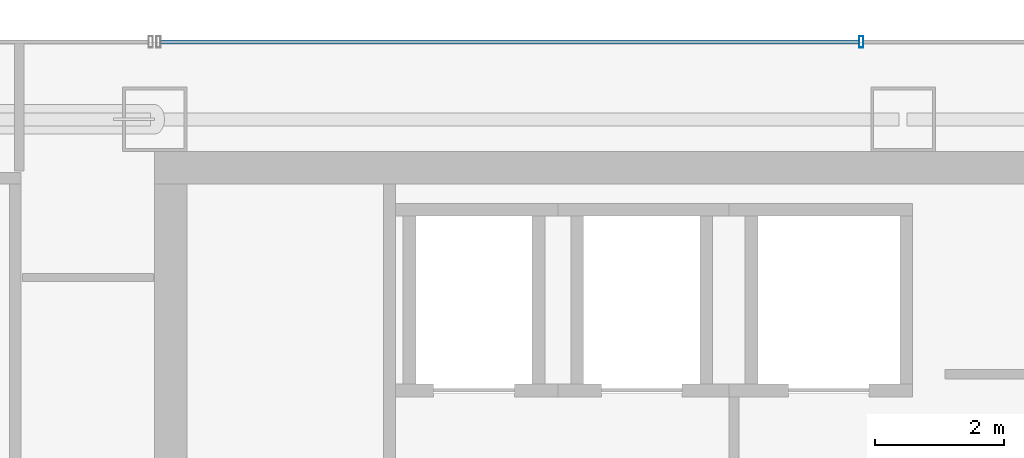
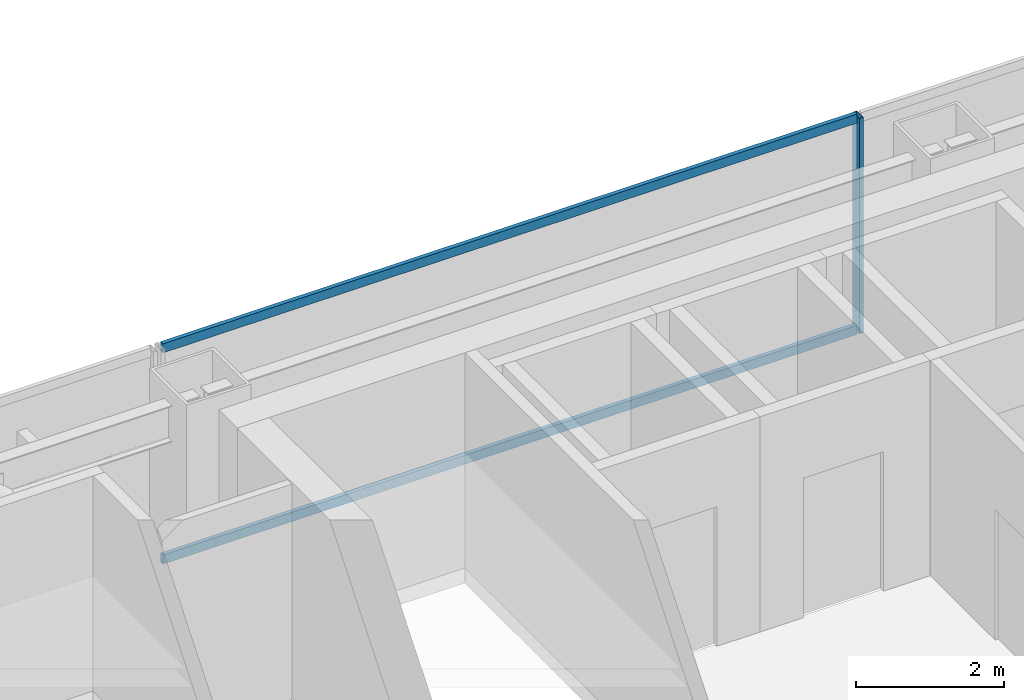
# One storey, part 16 of 31: 3 members, 1 element without a shape of its own.
"""IFC4 building model written with IfcOpenShell, lengths in metres."""

import ifcopenshell
import ifcopenshell.guid

model = None  # the IFC model being written
_history = None  # IfcOwnerHistory: only IFC2X3 demands one
_inside = {}  # id of a spatial element -> (the spatial element, [elements in it])
_under = {}  # id of a project, library or spatial element -> (it, [spatial elements below it])
_declared = {}  # id of a project -> (the project, [libraries it declares])
_typed = {}  # id of a type object -> (the type object, [elements of that type])
_made_of = {}  # id of a material, layer set ... -> (it, [elements and type objects made of it])


def new_model(schema):
    """Start an empty IFC model of exactly this schema.

    Asked for "IFC4X3", IfcOpenShell would pick the latest addendum, in which some entities
    have other attributes; the version numbers below select the first issue.
    IFC2X3 requires an IfcOwnerHistory on every rooted entity: one is made here for all.
    """
    global model, _history
    if schema == "IFC4X3":
        model = ifcopenshell.file(schema_version=(4, 3, 0, 0))
    else:
        model = ifcopenshell.file(schema=schema)
    _inside.clear()
    _under.clear()
    _declared.clear()
    _typed.clear()
    _made_of.clear()
    _history = None
    if model.schema == "IFC2X3":
        org = make("IfcOrganization", Name="unknown")
        user = make(
            "IfcPersonAndOrganization",
            ThePerson=make("IfcPerson", FamilyName="unknown"),
            TheOrganization=org,
        )
        app = make(
            "IfcApplication",
            ApplicationDeveloper=org,
            Version="unknown",
            ApplicationFullName="unknown",
            ApplicationIdentifier="unknown",
        )
        _history = make(
            "IfcOwnerHistory",
            OwningUser=user,
            OwningApplication=app,
            ChangeAction="ADDED",
            CreationDate=0,
        )
    return model


def make(cls, **values):
    """One entity of the class cls with the attributes given. An attribute that is None is left unset."""
    return model.create_entity(
        cls, **{name: value for name, value in values.items() if value is not None}
    )


def rooted(cls, **values):
    """An entity with a GlobalId (a new one), such as an element, a storey or a relation."""
    return make(cls, GlobalId=ifcopenshell.guid.new(), OwnerHistory=_history, **values)


def si_unit(unit_type, name, prefix=None):
    """IfcSIUnit, for example si_unit("LENGTHUNIT", "METRE", prefix="MILLI")."""
    return make("IfcSIUnit", UnitType=unit_type, Prefix=prefix, Name=name)


def assignment(units):
    """IfcUnitAssignment: the units of a project."""
    return None if units is None else make("IfcUnitAssignment", Units=units)


def point(xyz):
    """IfcCartesianPoint."""
    return None if xyz is None else make("IfcCartesianPoint", Coordinates=xyz)


def direction(xyz):
    """IfcDirection."""
    return None if xyz is None else make("IfcDirection", DirectionRatios=xyz)


def frame(location, z_axis=None, x_axis=None):
    """IfcAxis2Placement3D, a coordinate frame: its origin and axes. An axis left out is left unset."""
    return make(
        "IfcAxis2Placement3D",
        Location=point(location),
        Axis=direction(z_axis),
        RefDirection=direction(x_axis),
    )


def frame_2d(location, x_axis=None):
    """IfcAxis2Placement2D, a coordinate frame in the plane: its origin and x axis."""
    return make(
        "IfcAxis2Placement2D", Location=point(location), RefDirection=direction(x_axis)
    )


def origin():
    """The frame at (0, 0, 0) with its axes left unset."""
    return frame((0.0, 0.0, 0.0))


def origin_2d():
    """The frame at (0, 0) in the plane with its x axis left unset."""
    return frame_2d((0.0, 0.0))


def place(relative_to, where):
    """IfcLocalPlacement: puts the frame where relative to a parent placement (None: the world)."""
    return make(
        "IfcLocalPlacement", PlacementRelTo=relative_to, RelativePlacement=where
    )


def context(
    kind, dimensions, precision=None, world=None, true_north=None, identifier=None
):
    """IfcGeometricRepresentationContext, for example the 3D "Model" context."""
    return make(
        "IfcGeometricRepresentationContext",
        ContextIdentifier=identifier,
        ContextType=kind,
        CoordinateSpaceDimension=dimensions,
        Precision=precision,
        WorldCoordinateSystem=world,
        TrueNorth=true_north,
    )


def subcontext(parent, identifier, kind, view, scale=None):
    """IfcGeometricRepresentationSubContext, for example "Body" below "Model"."""
    return make(
        "IfcGeometricRepresentationSubContext",
        ContextIdentifier=identifier,
        ContextType=kind,
        ParentContext=parent,
        TargetScale=scale,
        TargetView=view,
    )


def project(units=None, contexts=None):
    """IfcProject with its units and contexts."""
    return rooted(
        "IfcProject",
        Name="project",
        RepresentationContexts=contexts,
        UnitsInContext=assignment(units),
    )


def spatial(cls, under=None, at=None, **own):
    """A site, building, storey or space (cls), placed at a placement, below another one or the project."""
    s = rooted(cls, ObjectPlacement=at, **own)
    if under is not None:
        _under.setdefault(under.id(), (under, []))[1].append(s)
    return s


def profile(cls, at=None, kind="AREA", **sizes):
    """A parametric profile (cls). Its sizes go by their IFC names, for example OverallWidth=200.0."""
    return make(cls, ProfileType=kind, Position=at, **sizes)


def hollow_rectangle(**sizes):
    """IfcRectangleHollowProfileDef."""
    return profile("IfcRectangleHollowProfileDef", **sizes)


def extrude(swept, where, along, depth):
    """IfcExtrudedAreaSolid: the profile swept, set in the frame where, extruded along a direction by depth."""
    return make(
        "IfcExtrudedAreaSolid",
        SweptArea=swept,
        Position=where,
        ExtrudedDirection=direction(along),
        Depth=depth,
    )


def shape(context_of_items, identifier, shape_type, items):
    """IfcShapeRepresentation: the items that make up one representation, for example the "Body"."""
    return make(
        "IfcShapeRepresentation",
        ContextOfItems=context_of_items,
        RepresentationIdentifier=identifier,
        RepresentationType=shape_type,
        Items=items,
    )


def material(Name=None, Category=None):
    """IfcMaterial."""
    return make("IfcMaterial", Name=Name, Category=Category)


def material_profile(
    of_material, cross_section, Name=None, Category=None, Priority=None
):
    """IfcMaterialProfile: a cross section and its material."""
    return make(
        "IfcMaterialProfile",
        Name=Name,
        Material=of_material,
        Profile=cross_section,
        Priority=Priority,
        Category=Category,
    )


def profile_set(profiles, Name=None, composite=None):
    """IfcMaterialProfileSet."""
    return make(
        "IfcMaterialProfileSet",
        Name=Name,
        MaterialProfiles=profiles,
        CompositeProfile=composite,
    )


def made_of(thing, what):
    """Note that an element or type object is made of a material, layer set ...; save() writes the relation."""
    if what is not None:
        _made_of.setdefault(what.id(), (what, []))[1].append(thing)
    return thing


def type_object(cls, material=None, **own):
    """A type object (cls), such as IfcWallType, which elements share."""
    return made_of(rooted(cls, **own), material)


def element(
    cls,
    number,
    at=None,
    inside=None,
    cuts=None,
    type_object=None,
    material=None,
    context=None,
    identifier="Body",
    shape_type=None,
    held_by="IfcProductDefinitionShape",
    body=None,
    shapes=None,
    **own,
):
    """One element of the class cls, such as IfcWall. Its Tag is "e" and its number.

    at: its placement. inside: the storey or other place that contains it. cuts: it is an
    opening in that element (IfcRelVoidsElement). A single representation is given by context,
    identifier, shape_type and body (its items); several are given by shapes. held_by: the class
    of the entity that holds the representations. save() writes the other relations.
    """
    e = rooted(cls, Tag="e%d" % number, ObjectPlacement=at, **own)
    if body is not None:
        shapes = [shape(context, identifier, shape_type, body)]
    if shapes is not None:
        e.Representation = make(held_by, Representations=shapes)
    if inside is not None:
        _inside.setdefault(inside.id(), (inside, []))[1].append(e)
    if cuts is not None:
        rooted(
            "IfcRelVoidsElement", RelatingBuildingElement=cuts, RelatedOpeningElement=e
        )
    if type_object is not None:
        _typed.setdefault(type_object.id(), (type_object, []))[1].append(e)
    return made_of(e, material)


def aggregate(whole, parts):
    """IfcRelAggregates: a whole, such as a stair, and the parts it consists of."""
    return rooted("IfcRelAggregates", RelatingObject=whole, RelatedObjects=parts)


def save(model, path):
    """Write the relations noted so far, then the file.

    IfcRelAggregates (storeys below a building ...), IfcRelContainedInSpatialStructure (elements
    in a storey), IfcRelDefinesByType, IfcRelAssociatesMaterial and IfcRelDeclares: one each for
    every whole, place, type object, material and project.
    """
    for whole, parts in _under.values():
        aggregate(whole, parts)
    for where, things in _inside.values():
        rooted(
            "IfcRelContainedInSpatialStructure",
            RelatedElements=things,
            RelatingStructure=where,
        )
    for kind, things in _typed.values():
        rooted("IfcRelDefinesByType", RelatedObjects=things, RelatingType=kind)
    for what, things in _made_of.values():
        rooted("IfcRelAssociatesMaterial", RelatedObjects=things, RelatingMaterial=what)
    for by, libraries in _declared.values():
        rooted("IfcRelDeclares", RelatingContext=by, RelatedDefinitions=libraries)
    model.write(path)


model = new_model("IFC4")

# Units and contexts
model_context = context("Model", 3, precision=1e-05, world=origin(), true_north=direction((0.0, 1.0)))
body_context = subcontext(model_context, "Body", "Model", "MODEL_VIEW")
ifc_project = project(units=[si_unit("LENGTHUNIT", "METRE"), si_unit("AREAUNIT", "SQUARE_METRE"), si_unit("VOLUMEUNIT", "CUBIC_METRE"), si_unit("PLANEANGLEUNIT", "RADIAN"), si_unit("MASSUNIT", "GRAM", prefix="KILO")], contexts=[model_context])

# Site, building, storey
site_placement = place(None, origin())
site = spatial("IfcSite", under=ifc_project, at=site_placement, CompositionType="ELEMENT")
building_placement = place(site_placement, origin())
building = spatial("IfcBuilding", under=site, at=building_placement, Name="Saevonmaru Cultural Tower", CompositionType="ELEMENT")
storey_placement = place(building_placement, frame((0.0, 0.0, 167.60009765625)))
storey = spatial("IfcBuildingStorey", under=building, at=storey_placement, Name="L37", CompositionType="ELEMENT", Elevation=167.60009765625)

# Curtain wall, members
ifc_material = material(Name="Satin Bronze Anodised Aluminium", Category="aluminium")
curtain_wall_type = type_object("IfcCurtainWallType", Name="CW-TYP-A", PredefinedType="NOTDEFINED", material=ifc_material)
curtain_wall_placement = place(storey_placement, origin())
curtain_wall = element("IfcCurtainWall", 1, at=curtain_wall_placement, inside=storey, type_object=curtain_wall_type, Name="L37 North Spine Unitised Curtain Wall E10B", PredefinedType="NOTDEFINED")
ifc_material_profile_1 = material_profile(ifc_material, hollow_rectangle(XDim=0.06494140625, YDim=0.179931640625, WallThickness=0.00390625, at=origin_2d()), Name="ALU-MULL-180x65x4")
ifc_profile_set_1 = profile_set([ifc_material_profile_1], Name="Satin Bronze Anodised Aluminium")
member_type_1 = type_object("IfcMemberType", Name="ML-CW-180x65", PredefinedType="MULLION", material=ifc_profile_set_1)
member_1_placement = place(storey_placement, frame((24.55322265625, 56.0, 0.0), z_axis=(0.0, 0.0, 1.0), x_axis=(-1.0, 0.0, 0.0)))
member_1 = element("IfcMember", 2, at=member_1_placement, type_object=member_type_1, Name="CW-TW-L37-E10B mullion 3", PredefinedType="MULLION", context=body_context, shape_type="SweptSolid", body=[
    extrude(hollow_rectangle(XDim=0.06494140625, YDim=0.179931640625, WallThickness=0.00390625, at=origin_2d()), origin(), (0.0, 0.0, 1.0), 3.5498046875),
])
ifc_material_profile_2 = material_profile(ifc_material, hollow_rectangle(XDim=0.06494140625, YDim=0.14990234375, WallThickness=0.00390625, at=origin_2d()), Name="ALU-TRAN-150x65x4")
ifc_profile_set_2 = profile_set([ifc_material_profile_2], Name="Satin Bronze Anodised Aluminium")
member_type_2 = type_object("IfcMemberType", Name="TR-CW-150x65", PredefinedType="USERDEFINED", material=ifc_profile_set_2)
member_2_placement = place(storey_placement, frame((24.520751953125, 56.0, 0.032470703125), z_axis=(-1.0, 0.0, 0.0), x_axis=(0.0, -1.0, 0.0)))
member_2 = element("IfcMember", 3, at=member_2_placement, type_object=member_type_2, Name="CW-TW-L37-E10B transom 3.1", ObjectType="TRANSOM", PredefinedType="USERDEFINED", context=body_context, shape_type="SweptSolid", body=[
    extrude(hollow_rectangle(XDim=0.06494140625, YDim=0.14990234375, WallThickness=0.00390625, at=origin_2d()), origin(), (0.0, 0.0, 1.0), 10.828369140625),
])
member_3_placement = place(storey_placement, frame((24.520751953125, 56.0, 3.517333984375), z_axis=(-1.0, 0.0, 0.0), x_axis=(0.0, -1.0, 0.0)))
member_3 = element("IfcMember", 4, at=member_3_placement, type_object=member_type_2, Name="CW-TW-L37-E10B transom 3.2", ObjectType="TRANSOM", PredefinedType="USERDEFINED", context=body_context, shape_type="SweptSolid", body=[
    extrude(hollow_rectangle(XDim=0.06494140625, YDim=0.14990234375, WallThickness=0.00390625, at=origin_2d()), origin(), (0.0, 0.0, 1.0), 10.828369140625),
])
aggregate(curtain_wall, [member_1, member_2, member_3])

save(model, "model.ifc")
